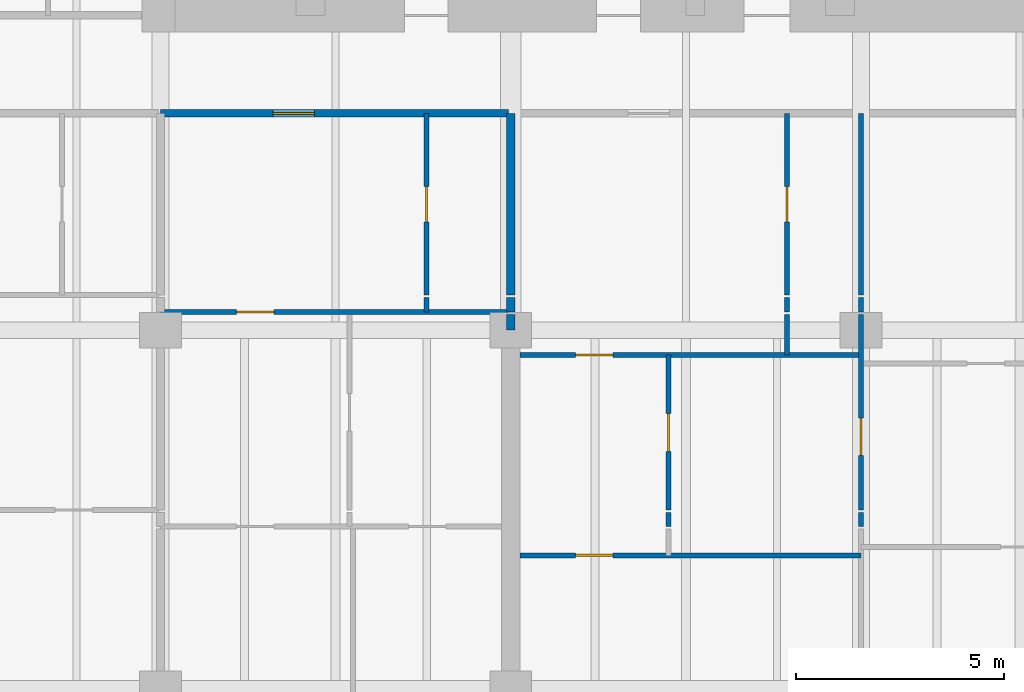
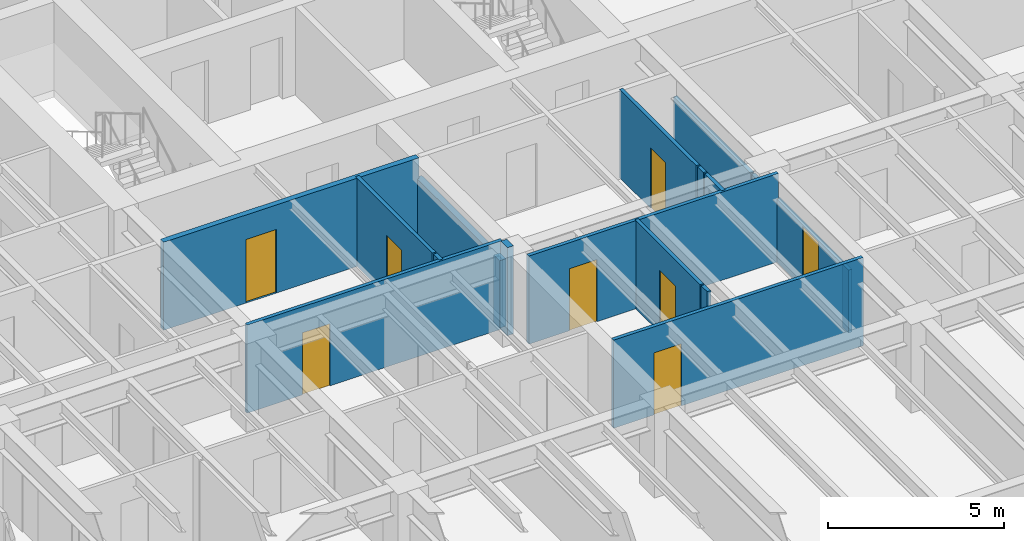
# One storey, part 7 of 17: 18 walls, 8 doors, 8 openings.
"""IFC4 building model written with IfcOpenShell, lengths in metres."""

import ifcopenshell
import ifcopenshell.guid

model = None  # the IFC model being written
_history = None  # IfcOwnerHistory: only IFC2X3 demands one
_inside = {}  # id of a spatial element -> (the spatial element, [elements in it])
_under = {}  # id of a project, library or spatial element -> (it, [spatial elements below it])
_declared = {}  # id of a project -> (the project, [libraries it declares])
_typed = {}  # id of a type object -> (the type object, [elements of that type])
_made_of = {}  # id of a material, layer set ... -> (it, [elements and type objects made of it])


def new_model(schema):
    """Start an empty IFC model of exactly this schema.

    Asked for "IFC4X3", IfcOpenShell would pick the latest addendum, in which some entities
    have other attributes; the version numbers below select the first issue.
    IFC2X3 requires an IfcOwnerHistory on every rooted entity: one is made here for all.
    """
    global model, _history
    if schema == "IFC4X3":
        model = ifcopenshell.file(schema_version=(4, 3, 0, 0))
    else:
        model = ifcopenshell.file(schema=schema)
    _inside.clear()
    _under.clear()
    _declared.clear()
    _typed.clear()
    _made_of.clear()
    _history = None
    if model.schema == "IFC2X3":
        org = make("IfcOrganization", Name="unknown")
        user = make(
            "IfcPersonAndOrganization",
            ThePerson=make("IfcPerson", FamilyName="unknown"),
            TheOrganization=org,
        )
        app = make(
            "IfcApplication",
            ApplicationDeveloper=org,
            Version="unknown",
            ApplicationFullName="unknown",
            ApplicationIdentifier="unknown",
        )
        _history = make(
            "IfcOwnerHistory",
            OwningUser=user,
            OwningApplication=app,
            ChangeAction="ADDED",
            CreationDate=0,
        )
    return model


def make(cls, **values):
    """One entity of the class cls with the attributes given. An attribute that is None is left unset."""
    return model.create_entity(
        cls, **{name: value for name, value in values.items() if value is not None}
    )


def rooted(cls, **values):
    """An entity with a GlobalId (a new one), such as an element, a storey or a relation."""
    return make(cls, GlobalId=ifcopenshell.guid.new(), OwnerHistory=_history, **values)


def si_unit(unit_type, name, prefix=None):
    """IfcSIUnit, for example si_unit("LENGTHUNIT", "METRE", prefix="MILLI")."""
    return make("IfcSIUnit", UnitType=unit_type, Prefix=prefix, Name=name)


def assignment(units):
    """IfcUnitAssignment: the units of a project."""
    return None if units is None else make("IfcUnitAssignment", Units=units)


def point(xyz):
    """IfcCartesianPoint."""
    return None if xyz is None else make("IfcCartesianPoint", Coordinates=xyz)


def direction(xyz):
    """IfcDirection."""
    return None if xyz is None else make("IfcDirection", DirectionRatios=xyz)


def frame(location, z_axis=None, x_axis=None):
    """IfcAxis2Placement3D, a coordinate frame: its origin and axes. An axis left out is left unset."""
    return make(
        "IfcAxis2Placement3D",
        Location=point(location),
        Axis=direction(z_axis),
        RefDirection=direction(x_axis),
    )


def frame_2d(location, x_axis=None):
    """IfcAxis2Placement2D, a coordinate frame in the plane: its origin and x axis."""
    return make(
        "IfcAxis2Placement2D", Location=point(location), RefDirection=direction(x_axis)
    )


def origin():
    """The frame at (0, 0, 0) with its axes left unset."""
    return frame((0.0, 0.0, 0.0))


def place(relative_to, where):
    """IfcLocalPlacement: puts the frame where relative to a parent placement (None: the world)."""
    return make(
        "IfcLocalPlacement", PlacementRelTo=relative_to, RelativePlacement=where
    )


def context(
    kind, dimensions, precision=None, world=None, true_north=None, identifier=None
):
    """IfcGeometricRepresentationContext, for example the 3D "Model" context."""
    return make(
        "IfcGeometricRepresentationContext",
        ContextIdentifier=identifier,
        ContextType=kind,
        CoordinateSpaceDimension=dimensions,
        Precision=precision,
        WorldCoordinateSystem=world,
        TrueNorth=true_north,
    )


def subcontext(parent, identifier, kind, view, scale=None):
    """IfcGeometricRepresentationSubContext, for example "Body" below "Model"."""
    return make(
        "IfcGeometricRepresentationSubContext",
        ContextIdentifier=identifier,
        ContextType=kind,
        ParentContext=parent,
        TargetScale=scale,
        TargetView=view,
    )


def project(units=None, contexts=None):
    """IfcProject with its units and contexts."""
    return rooted(
        "IfcProject",
        Name="project",
        RepresentationContexts=contexts,
        UnitsInContext=assignment(units),
    )


def spatial(cls, under=None, at=None, **own):
    """A site, building, storey or space (cls), placed at a placement, below another one or the project."""
    s = rooted(cls, ObjectPlacement=at, **own)
    if under is not None:
        _under.setdefault(under.id(), (under, []))[1].append(s)
    return s


def profile(cls, at=None, kind="AREA", **sizes):
    """A parametric profile (cls). Its sizes go by their IFC names, for example OverallWidth=200.0."""
    return make(cls, ProfileType=kind, Position=at, **sizes)


def rectangle(**sizes):
    """IfcRectangleProfileDef."""
    return profile("IfcRectangleProfileDef", **sizes)


def extrude(swept, where, along, depth):
    """IfcExtrudedAreaSolid: the profile swept, set in the frame where, extruded along a direction by depth."""
    return make(
        "IfcExtrudedAreaSolid",
        SweptArea=swept,
        Position=where,
        ExtrudedDirection=direction(along),
        Depth=depth,
    )


def shape(context_of_items, identifier, shape_type, items):
    """IfcShapeRepresentation: the items that make up one representation, for example the "Body"."""
    return make(
        "IfcShapeRepresentation",
        ContextOfItems=context_of_items,
        RepresentationIdentifier=identifier,
        RepresentationType=shape_type,
        Items=items,
    )


def material(Name=None, Category=None):
    """IfcMaterial."""
    return make("IfcMaterial", Name=Name, Category=Category)


def layer(
    of_material, thickness, ventilated=None, Name=None, Category=None, Priority=None
):
    """IfcMaterialLayer: one layer of a wall or slab, of a material (None: an air gap)."""
    return make(
        "IfcMaterialLayer",
        Material=of_material,
        LayerThickness=thickness,
        IsVentilated=ventilated,
        Name=Name,
        Category=Category,
        Priority=Priority,
    )


def layer_set(layers, Name=None):
    """IfcMaterialLayerSet."""
    return make("IfcMaterialLayerSet", MaterialLayers=layers, LayerSetName=Name)


def made_of(thing, what):
    """Note that an element or type object is made of a material, layer set ...; save() writes the relation."""
    if what is not None:
        _made_of.setdefault(what.id(), (what, []))[1].append(thing)
    return thing


def type_object(cls, material=None, **own):
    """A type object (cls), such as IfcWallType, which elements share."""
    return made_of(rooted(cls, **own), material)


def element(
    cls,
    number,
    at=None,
    inside=None,
    cuts=None,
    type_object=None,
    material=None,
    context=None,
    identifier="Body",
    shape_type=None,
    held_by="IfcProductDefinitionShape",
    body=None,
    shapes=None,
    **own,
):
    """One element of the class cls, such as IfcWall. Its Tag is "e" and its number.

    at: its placement. inside: the storey or other place that contains it. cuts: it is an
    opening in that element (IfcRelVoidsElement). A single representation is given by context,
    identifier, shape_type and body (its items); several are given by shapes. held_by: the class
    of the entity that holds the representations. save() writes the other relations.
    """
    e = rooted(cls, Tag="e%d" % number, ObjectPlacement=at, **own)
    if body is not None:
        shapes = [shape(context, identifier, shape_type, body)]
    if shapes is not None:
        e.Representation = make(held_by, Representations=shapes)
    if inside is not None:
        _inside.setdefault(inside.id(), (inside, []))[1].append(e)
    if cuts is not None:
        rooted(
            "IfcRelVoidsElement", RelatingBuildingElement=cuts, RelatedOpeningElement=e
        )
    if type_object is not None:
        _typed.setdefault(type_object.id(), (type_object, []))[1].append(e)
    return made_of(e, material)


def fill(opening, filler):
    """IfcRelFillsElement: the door or window that sits in an opening."""
    return rooted(
        "IfcRelFillsElement",
        RelatingOpeningElement=opening,
        RelatedBuildingElement=filler,
    )


def aggregate(whole, parts):
    """IfcRelAggregates: a whole, such as a stair, and the parts it consists of."""
    return rooted("IfcRelAggregates", RelatingObject=whole, RelatedObjects=parts)


def save(model, path):
    """Write the relations noted so far, then the file.

    IfcRelAggregates (storeys below a building ...), IfcRelContainedInSpatialStructure (elements
    in a storey), IfcRelDefinesByType, IfcRelAssociatesMaterial and IfcRelDeclares: one each for
    every whole, place, type object, material and project.
    """
    for whole, parts in _under.values():
        aggregate(whole, parts)
    for where, things in _inside.values():
        rooted(
            "IfcRelContainedInSpatialStructure",
            RelatedElements=things,
            RelatingStructure=where,
        )
    for kind, things in _typed.values():
        rooted("IfcRelDefinesByType", RelatedObjects=things, RelatingType=kind)
    for what, things in _made_of.values():
        rooted("IfcRelAssociatesMaterial", RelatedObjects=things, RelatingMaterial=what)
    for by, libraries in _declared.values():
        rooted("IfcRelDeclares", RelatingContext=by, RelatedDefinitions=libraries)
    model.write(path)


model = new_model("IFC4")

# Units and contexts
model_context = context("Model", 3, precision=1e-05, world=origin(), true_north=direction((0.0, 1.0)))
body_context = subcontext(model_context, "Body", "Model", "MODEL_VIEW")
ifc_project = project(units=[si_unit("LENGTHUNIT", "METRE"), si_unit("AREAUNIT", "SQUARE_METRE"), si_unit("VOLUMEUNIT", "CUBIC_METRE"), si_unit("PLANEANGLEUNIT", "RADIAN"), si_unit("MASSUNIT", "GRAM", prefix="KILO")], contexts=[model_context])

# Site, building, storey
site_placement = place(None, origin())
site = spatial("IfcSite", under=ifc_project, at=site_placement, CompositionType="ELEMENT")
building_placement = place(site_placement, origin())
building = spatial("IfcBuilding", under=site, at=building_placement, Name="Caelmar Bay Residences", CompositionType="ELEMENT")
storey_placement = place(building_placement, frame((0.0, 0.0, 109.199951171875)))
storey = spatial("IfcBuildingStorey", under=building, at=storey_placement, Name="L29", CompositionType="ELEMENT", Elevation=109.199951171875)

# Wall, opening, door
ifc_material_1 = material(Name="Double-stud acoustic fire-rated gypsum partition 180 mm")
ifc_layer_1 = layer(ifc_material_1, 0.179931640625)
ifc_layer_set_1 = layer_set([ifc_layer_1], Name="Double-stud acoustic fire-rated gypsum partition 180 mm")
wall_type_1 = type_object("IfcWallType", Name="W-COR-200", PredefinedType="PARTITIONING", material=ifc_layer_set_1)
wall_1_placement = place(storey_placement, frame((18.300048828125, 34.60009765625, 0.0), z_axis=(0.0, 0.0, 1.0), x_axis=(1.0, 0.0, 0.0)))
wall_1 = element("IfcWall", 1, at=wall_1_placement, inside=storey, type_object=wall_type_1, Name="L29 Partition Wall H141", PredefinedType="PARTITIONING", context=body_context, shape_type="SweptSolid", body=[
    extrude(rectangle(XDim=8.349853515625, YDim=0.179931640625, at=frame_2d((4.1748046875, 0.0))), origin(), (0.0, 0.0, 1.0), 3.050048828125),
])
opening_1_placement = place(wall_1_placement, frame((2.69140625, 0.0, 0.0)))
opening_1 = element("IfcOpeningElement", 2, at=opening_1_placement, cuts=wall_1, Name="Opening D-L29-132", PredefinedType="OPENING", context=body_context, shape_type="SweptSolid", body=[
    extrude(rectangle(XDim=1.0, YDim=2.199951171875, at=frame_2d((0.5, 1.10009765625))), frame((0.0, 0.099853515625, 0.0), z_axis=(0.0, -1.0, 0.0), x_axis=(1.0, 0.0, 0.0)), (0.0, 0.0, 1.0), 0.199951171875),
])
ifc_material_2 = material(Name="Fire-rated steel and walnut architectural door assembly", Category="steel")
ifc_layer_2 = layer(ifc_material_2, 0.050048828125)
ifc_layer_set_2 = layer_set([ifc_layer_2], Name="Fire-rated steel and walnut architectural door assembly")
door_type_1 = type_object("IfcDoorType", Name="D-UNIT-1000", OperationType="NOTDEFINED", PredefinedType="DOOR", material=ifc_layer_set_2)
door_1_placement = place(opening_1_placement, origin())
door_1 = element("IfcDoor", 3, at=door_1_placement, inside=storey, type_object=door_type_1, Name="L29 Residence 02 Apartment Hall Door", OperationType="SINGLE_SWING_RIGHT", OverallHeight=2.199951171875, OverallWidth=1.0, PredefinedType="DOOR", context=body_context, shape_type="SweptSolid", body=[
    extrude(rectangle(XDim=1.0, YDim=2.199951171875, at=frame_2d((0.5, 1.10009765625))), frame((0.0, 0.02490234375, 0.0), z_axis=(0.0, -1.0, 0.0), x_axis=(1.0, 0.0, 0.0)), (0.0, 0.0, 1.0), 0.050048828125),
])
fill(opening_1, door_1)

# Wall
ifc_material_3 = material(Name="Acoustic metal-stud gypsum partition 120 mm")
ifc_layer_3 = layer(ifc_material_3, 0.1201171875)
ifc_layer_set_3 = layer_set([ifc_layer_3], Name="Acoustic metal-stud gypsum partition 120 mm")
wall_type_2 = type_object("IfcWallType", Name="W-PRT-120", PredefinedType="PARTITIONING", material=ifc_layer_set_3)
wall_2_placement = place(storey_placement, frame((24.68310546875, 29.840087890625, 0.0), z_axis=(0.0, 0.0, 1.0), x_axis=(0.0, 1.0, 0.0)))
element("IfcWall", 4, at=wall_2_placement, inside=storey, type_object=wall_type_2, Name="L29 Partition Wall V034", PredefinedType="PARTITIONING", context=body_context, shape_type="SweptSolid", body=[
    extrude(rectangle(XDim=0.33984375, YDim=0.1201171875, at=frame_2d((0.169921875, 0.0))), origin(), (0.0, 0.0, 1.0), 3.050048828125),
])

# Wall, opening, door
wall_3_placement = place(storey_placement, frame((24.68310546875, 30.239990234375, 0.0), z_axis=(0.0, 0.0, 1.0), x_axis=(0.0, 1.0, 0.0)))
wall_3 = element("IfcWall", 5, at=wall_3_placement, inside=storey, type_object=wall_type_2, Name="L29 Partition Wall V035", PredefinedType="PARTITIONING", context=body_context, shape_type="SweptSolid", body=[
    extrude(rectangle(XDim=4.360107421875, YDim=0.1201171875, at=frame_2d((2.18017578125, 0.0))), origin(), (0.0, 0.0, 1.0), 3.050048828125),
])
opening_2_placement = place(wall_3_placement, frame((1.7548828125, 0.0, 0.0)))
opening_2 = element("IfcOpeningElement", 6, at=opening_2_placement, cuts=wall_3, Name="Opening D-L29-133", PredefinedType="OPENING", context=body_context, shape_type="SweptSolid", body=[
    extrude(rectangle(XDim=0.85009765625, YDim=2.10009765625, at=frame_2d((0.425048828125, 1.050048828125))), frame((0.0, 0.070068359375, 0.0), z_axis=(0.0, -1.0, 0.0), x_axis=(1.0, 0.0, 0.0)), (0.0, 0.0, 1.0), 0.14013671875),
])
ifc_material_4 = material(Name="Solid walnut timber interior door leaf and frame", Category="wood")
ifc_layer_4 = layer(ifc_material_4, 0.050048828125)
ifc_layer_set_4 = layer_set([ifc_layer_4], Name="Solid walnut timber interior door leaf and frame")
door_type_2 = type_object("IfcDoorType", Name="D-BATH-850", OperationType="NOTDEFINED", PredefinedType="DOOR", material=ifc_layer_set_4)
door_2_placement = place(opening_2_placement, origin())
door_2 = element("IfcDoor", 7, at=door_2_placement, inside=storey, type_object=door_type_2, Name="L29 Residence 02 Bathroom Door", OperationType="SINGLE_SWING_LEFT", OverallHeight=2.10009765625, OverallWidth=0.85009765625, PredefinedType="DOOR", context=body_context, shape_type="SweptSolid", body=[
    extrude(rectangle(XDim=0.85009765625, YDim=2.10009765625, at=frame_2d((0.425048828125, 1.050048828125))), frame((0.0, 0.02490234375, 0.0), z_axis=(0.0, -1.0, 0.0), x_axis=(1.0, 0.0, 0.0)), (0.0, 0.0, 1.0), 0.050048828125),
])
fill(opening_2, door_2)

# Wall
wall_4_placement = place(storey_placement, frame((30.47998046875, 24.68994140625, 0.0), z_axis=(0.0, 0.0, 1.0), x_axis=(0.0, 1.0, 0.0)))
element("IfcWall", 8, at=wall_4_placement, inside=storey, type_object=wall_type_2, Name="L29 Partition Wall V046", PredefinedType="PARTITIONING", context=body_context, shape_type="SweptSolid", body=[
    extrude(rectangle(XDim=0.340087890625, YDim=0.1201171875, at=frame_2d((0.169921875, 0.0))), origin(), (0.0, 0.0, 1.0), 3.050048828125),
])

# Wall, opening, door
wall_5_placement = place(storey_placement, frame((30.47998046875, 25.090087890625, 0.0), z_axis=(0.0, 0.0, 1.0), x_axis=(0.0, 1.0, 0.0)))
wall_5 = element("IfcWall", 9, at=wall_5_placement, inside=storey, type_object=wall_type_2, Name="L29 Partition Wall V047", PredefinedType="PARTITIONING", context=body_context, shape_type="SweptSolid", body=[
    extrude(rectangle(XDim=3.7099609375, YDim=0.1201171875, at=frame_2d((1.85498046875, 0.0))), origin(), (0.0, 0.0, 1.0), 3.050048828125),
])
opening_3_placement = place(wall_5_placement, frame((1.405029296875, 0.0, 0.0)))
opening_3 = element("IfcOpeningElement", 10, at=opening_3_placement, cuts=wall_5, Name="Opening D-L29-142", PredefinedType="OPENING", context=body_context, shape_type="SweptSolid", body=[
    extrude(rectangle(XDim=0.89990234375, YDim=2.14990234375, at=frame_2d((0.449951171875, 1.074951171875))), frame((0.0, 0.070068359375, 0.0), z_axis=(0.0, -1.0, 0.0), x_axis=(1.0, 0.0, 0.0)), (0.0, 0.0, 1.0), 0.14013671875),
])
ifc_layer_5 = layer(ifc_material_4, 0.050048828125)
ifc_layer_set_5 = layer_set([ifc_layer_5], Name="Solid walnut timber interior door leaf and frame")
door_type_3 = type_object("IfcDoorType", Name="D-ROOM-900", OperationType="NOTDEFINED", PredefinedType="DOOR", material=ifc_layer_set_5)
door_3_placement = place(opening_3_placement, origin())
door_3 = element("IfcDoor", 11, at=door_3_placement, inside=storey, type_object=door_type_3, Name="L29 Residence 03 Kitchen Door", OperationType="SINGLE_SWING_RIGHT", OverallHeight=2.14990234375, OverallWidth=0.89990234375, PredefinedType="DOOR", context=body_context, shape_type="SweptSolid", body=[
    extrude(rectangle(XDim=0.89990234375, YDim=2.14990234375, at=frame_2d((0.449951171875, 1.074951171875))), frame((0.0, 0.02490234375, 0.0), z_axis=(0.0, -1.0, 0.0), x_axis=(1.0, 0.0, 0.0)), (0.0, 0.0, 1.0), 0.050048828125),
])
fill(opening_3, door_3)

# Walls
wall_6_placement = place(storey_placement, frame((33.323974609375, 28.800048828125, 0.0), z_axis=(0.0, 0.0, 1.0), x_axis=(0.0, 1.0, 0.0)))
element("IfcWall", 12, at=wall_6_placement, inside=storey, type_object=wall_type_2, Name="L29 Partition Wall V049", PredefinedType="PARTITIONING", context=body_context, shape_type="SweptSolid", body=[
    extrude(rectangle(XDim=0.97998046875, YDim=0.1201171875, at=frame_2d((0.489990234375, 0.0))), origin(), (0.0, 0.0, 1.0), 3.050048828125),
])
wall_7_placement = place(storey_placement, frame((33.323974609375, 29.840087890625, 0.0), z_axis=(0.0, 0.0, 1.0), x_axis=(0.0, 1.0, 0.0)))
element("IfcWall", 13, at=wall_7_placement, inside=storey, type_object=wall_type_2, Name="L29 Partition Wall V050", PredefinedType="PARTITIONING", context=body_context, shape_type="SweptSolid", body=[
    extrude(rectangle(XDim=0.33984375, YDim=0.1201171875, at=frame_2d((0.169921875, 0.0))), origin(), (0.0, 0.0, 1.0), 3.050048828125),
])

# Wall, opening, door
wall_8_placement = place(storey_placement, frame((33.323974609375, 30.239990234375, 0.0), z_axis=(0.0, 0.0, 1.0), x_axis=(0.0, 1.0, 0.0)))
wall_8 = element("IfcWall", 14, at=wall_8_placement, inside=storey, type_object=wall_type_2, Name="L29 Partition Wall V051", PredefinedType="PARTITIONING", context=body_context, shape_type="SweptSolid", body=[
    extrude(rectangle(XDim=4.360107421875, YDim=0.1201171875, at=frame_2d((2.18017578125, 0.0))), origin(), (0.0, 0.0, 1.0), 3.050048828125),
])
opening_4_placement = place(wall_8_placement, frame((1.7548828125, 0.0, 0.0)))
opening_4 = element("IfcOpeningElement", 15, at=opening_4_placement, cuts=wall_8, Name="Opening D-L29-140", PredefinedType="OPENING", context=body_context, shape_type="SweptSolid", body=[
    extrude(rectangle(XDim=0.85009765625, YDim=2.10009765625, at=frame_2d((0.425048828125, 1.050048828125))), frame((0.0, 0.070068359375, 0.0), z_axis=(0.0, -1.0, 0.0), x_axis=(1.0, 0.0, 0.0)), (0.0, 0.0, 1.0), 0.14013671875),
])
door_4_placement = place(opening_4_placement, origin())
door_4 = element("IfcDoor", 16, at=door_4_placement, inside=storey, type_object=door_type_2, Name="L29 Residence 03 Guest Bathroom Door", OperationType="SINGLE_SWING_RIGHT", OverallHeight=2.10009765625, OverallWidth=0.85009765625, PredefinedType="DOOR", context=body_context, shape_type="SweptSolid", body=[
    extrude(rectangle(XDim=0.85009765625, YDim=2.10009765625, at=frame_2d((0.425048828125, 1.050048828125))), frame((0.0, 0.02490234375, 0.0), z_axis=(0.0, -1.0, 0.0), x_axis=(1.0, 0.0, 0.0)), (0.0, 0.0, 1.0), 0.050048828125),
])
fill(opening_4, door_4)

# Wall
wall_9_placement = place(storey_placement, frame((35.10009765625, 24.68994140625, 0.0), z_axis=(0.0, 0.0, 1.0), x_axis=(0.0, 1.0, 0.0)))
element("IfcWall", 17, at=wall_9_placement, inside=storey, type_object=wall_type_2, Name="L29 Partition Wall V054", PredefinedType="PARTITIONING", context=body_context, shape_type="SweptSolid", body=[
    extrude(rectangle(XDim=0.340087890625, YDim=0.1201171875, at=frame_2d((0.169921875, 0.0))), origin(), (0.0, 0.0, 1.0), 2.174072265625),
])

# Wall, opening, door
wall_10_placement = place(storey_placement, frame((35.10009765625, 25.090087890625, 0.0), z_axis=(0.0, 0.0, 1.0), x_axis=(0.0, 1.0, 0.0)))
wall_10 = element("IfcWall", 18, at=wall_10_placement, inside=storey, type_object=wall_type_2, Name="L29 Partition Wall V055", PredefinedType="PARTITIONING", context=body_context, shape_type="SweptSolid", body=[
    extrude(rectangle(XDim=4.68994140625, YDim=0.1201171875, at=frame_2d((2.344970703125, 0.0))), origin(), (0.0, 0.0, 1.0), 2.174072265625),
])
opening_5_placement = place(wall_10_placement, frame((1.304931640625, 0.0, 0.0)))
opening_5 = element("IfcOpeningElement", 19, at=opening_5_placement, cuts=wall_10, Name="Opening D-L29-144", PredefinedType="OPENING", context=body_context, shape_type="SweptSolid", body=[
    extrude(rectangle(XDim=0.89990234375, YDim=2.1240234375, at=frame_2d((0.449951171875, 1.06201171875))), frame((0.0, 0.070068359375, 0.0), z_axis=(0.0, -1.0, 0.0), x_axis=(1.0, 0.0, 0.0)), (0.0, 0.0, 1.0), 0.14013671875),
])
door_5_placement = place(opening_5_placement, origin())
door_5 = element("IfcDoor", 20, at=door_5_placement, inside=storey, type_object=door_type_3, Name="L29 Residence 03 Formal Dining Room 1 Door", OperationType="SINGLE_SWING_RIGHT", OverallHeight=2.1240234375, OverallWidth=0.89990234375, PredefinedType="DOOR", context=body_context, shape_type="SweptSolid", body=[
    extrude(rectangle(XDim=0.89990234375, YDim=2.1240234375, at=frame_2d((0.449951171875, 1.06201171875))), frame((0.0, 0.02490234375, 0.0), z_axis=(0.0, -1.0, 0.0), x_axis=(1.0, 0.0, 0.0)), (0.0, 0.0, 1.0), 0.050048828125),
])
fill(opening_5, door_5)

# Walls
wall_11_placement = place(storey_placement, frame((35.10009765625, 29.840087890625, 0.0), z_axis=(0.0, 0.0, 1.0), x_axis=(0.0, 1.0, 0.0)))
element("IfcWall", 21, at=wall_11_placement, inside=storey, type_object=wall_type_2, Name="L29 Partition Wall V056", PredefinedType="PARTITIONING", context=body_context, shape_type="SweptSolid", body=[
    extrude(rectangle(XDim=0.33984375, YDim=0.1201171875, at=frame_2d((0.169921875, 0.0))), origin(), (0.0, 0.0, 1.0), 2.174072265625),
])
wall_12_placement = place(storey_placement, frame((35.10009765625, 30.239990234375, 0.0), z_axis=(0.0, 0.0, 1.0), x_axis=(0.0, 1.0, 0.0)))
element("IfcWall", 22, at=wall_12_placement, inside=storey, type_object=wall_type_2, Name="L29 Partition Wall V057", PredefinedType="PARTITIONING", context=body_context, shape_type="SweptSolid", body=[
    extrude(rectangle(XDim=4.360107421875, YDim=0.1201171875, at=frame_2d((2.18017578125, 0.0))), origin(), (0.0, 0.0, 1.0), 2.174072265625),
])

# Wall, opening, door
wall_13_placement = place(storey_placement, frame((26.919921875, 24.0, 0.0), z_axis=(0.0, 0.0, 1.0), x_axis=(1.0, 0.0, 0.0)))
wall_13 = element("IfcWall", 23, at=wall_13_placement, inside=storey, type_object=wall_type_2, Name="L29 Partition Wall H125", PredefinedType="PARTITIONING", context=body_context, shape_type="SweptSolid", body=[
    extrude(rectangle(XDim=8.18017578125, YDim=0.1201171875, at=frame_2d((4.090087890625, 0.0))), origin(), (0.0, 0.0, 1.0), 3.050048828125),
])
opening_6_placement = place(wall_13_placement, frame((1.330078125, 0.0, 0.0)))
opening_6 = element("IfcOpeningElement", 24, at=opening_6_placement, cuts=wall_13, Name="Opening D-L29-143", PredefinedType="OPENING", context=body_context, shape_type="SweptSolid", body=[
    extrude(rectangle(XDim=0.89990234375, YDim=2.14990234375, at=frame_2d((0.449951171875, 1.074951171875))), frame((0.0, 0.070068359375, 0.0), z_axis=(0.0, -1.0, 0.0), x_axis=(1.0, 0.0, 0.0)), (0.0, 0.0, 1.0), 0.14013671875),
])
door_6_placement = place(opening_6_placement, origin())
door_6 = element("IfcDoor", 25, at=door_6_placement, inside=storey, type_object=door_type_3, Name="L29 Residence 03 Penthouse Living Salon Door", OperationType="SINGLE_SWING_LEFT", OverallHeight=2.14990234375, OverallWidth=0.89990234375, PredefinedType="DOOR", context=body_context, shape_type="SweptSolid", body=[
    extrude(rectangle(XDim=0.89990234375, YDim=2.14990234375, at=frame_2d((0.449951171875, 1.074951171875))), frame((0.0, 0.02490234375, 0.0), z_axis=(0.0, -1.0, 0.0), x_axis=(1.0, 0.0, 0.0)), (0.0, 0.0, 1.0), 0.050048828125),
])
fill(opening_6, door_6)

wall_14_placement = place(storey_placement, frame((26.919921875, 28.800048828125, 0.0), z_axis=(0.0, 0.0, 1.0), x_axis=(1.0, 0.0, 0.0)))
wall_14 = element("IfcWall", 26, at=wall_14_placement, inside=storey, type_object=wall_type_2, Name="L29 Partition Wall H133", PredefinedType="PARTITIONING", context=body_context, shape_type="SweptSolid", body=[
    extrude(rectangle(XDim=8.175048828125, YDim=0.1201171875, at=frame_2d((4.08740234375, 0.0))), origin(), (0.0, 0.0, 1.0), 3.050048828125),
])
opening_7_placement = place(wall_14_placement, frame((1.330078125, 0.0, 0.0)))
opening_7 = element("IfcOpeningElement", 27, at=opening_7_placement, cuts=wall_14, Name="Opening D-L29-141", PredefinedType="OPENING", context=body_context, shape_type="SweptSolid", body=[
    extrude(rectangle(XDim=0.89990234375, YDim=2.14990234375, at=frame_2d((0.449951171875, 1.074951171875))), frame((0.0, 0.070068359375, 0.0), z_axis=(0.0, -1.0, 0.0), x_axis=(1.0, 0.0, 0.0)), (0.0, 0.0, 1.0), 0.14013671875),
])
door_7_placement = place(opening_7_placement, origin())
door_7 = element("IfcDoor", 28, at=door_7_placement, inside=storey, type_object=door_type_3, Name="L29 Residence 03 Dining Room Door", OperationType="SINGLE_SWING_LEFT", OverallHeight=2.14990234375, OverallWidth=0.89990234375, PredefinedType="DOOR", context=body_context, shape_type="SweptSolid", body=[
    extrude(rectangle(XDim=0.89990234375, YDim=2.14990234375, at=frame_2d((0.449951171875, 1.074951171875))), frame((0.0, 0.02490234375, 0.0), z_axis=(0.0, -1.0, 0.0), x_axis=(1.0, 0.0, 0.0)), (0.0, 0.0, 1.0), 0.050048828125),
])
fill(opening_7, door_7)

wall_15_placement = place(storey_placement, frame((18.300048828125, 29.840087890625, 0.0), z_axis=(0.0, 0.0, 1.0), x_axis=(1.0, 0.0, 0.0)))
wall_15 = element("IfcWall", 29, at=wall_15_placement, inside=storey, type_object=wall_type_2, Name="L29 Partition Wall H136", PredefinedType="PARTITIONING", context=body_context, shape_type="SweptSolid", body=[
    extrude(rectangle(XDim=8.349853515625, YDim=0.1201171875, at=frame_2d((4.1748046875, 0.0))), origin(), (0.0, 0.0, 1.0), 3.050048828125),
])
opening_8_placement = place(wall_15_placement, frame((1.818115234375, 0.0, 0.0)))
opening_8 = element("IfcOpeningElement", 30, at=opening_8_placement, cuts=wall_15, Name="Opening D-L29-134", PredefinedType="OPENING", context=body_context, shape_type="SweptSolid", body=[
    extrude(rectangle(XDim=0.89990234375, YDim=2.14990234375, at=frame_2d((0.449951171875, 1.074951171875))), frame((0.0, 0.070068359375, 0.0), z_axis=(0.0, -1.0, 0.0), x_axis=(1.0, 0.0, 0.0)), (0.0, 0.0, 1.0), 0.14013671875),
])
door_8_placement = place(opening_8_placement, origin())
door_8 = element("IfcDoor", 31, at=door_8_placement, inside=storey, type_object=door_type_3, Name="L29 Residence 02 Kitchen Door", OperationType="SINGLE_SWING_RIGHT", OverallHeight=2.14990234375, OverallWidth=0.89990234375, PredefinedType="DOOR", context=body_context, shape_type="SweptSolid", body=[
    extrude(rectangle(XDim=0.89990234375, YDim=2.14990234375, at=frame_2d((0.449951171875, 1.074951171875))), frame((0.0, 0.02490234375, 0.0), z_axis=(0.0, -1.0, 0.0), x_axis=(1.0, 0.0, 0.0)), (0.0, 0.0, 1.0), 0.050048828125),
])
fill(opening_8, door_8)

# Walls
ifc_material_5 = material(Name="Acoustic twin-stud fire-rated inter-tenancy partition 200 mm")
ifc_layer_6 = layer(ifc_material_5, 0.199951171875)
ifc_layer_set_6 = layer_set([ifc_layer_6], Name="Acoustic twin-stud fire-rated inter-tenancy partition 200 mm")
wall_type_3 = type_object("IfcWallType", Name="W-PTY-200", PredefinedType="PARTITIONING", material=ifc_layer_set_6)
wall_16_placement = place(storey_placement, frame((26.699951171875, 29.405029296875, 0.0), z_axis=(0.0, 0.0, 1.0), x_axis=(0.0, 1.0, 0.0)))
element("IfcWall", 32, at=wall_16_placement, inside=storey, type_object=wall_type_3, Name="L29 Partition Wall V040", PredefinedType="PARTITIONING", context=body_context, shape_type="SweptSolid", body=[
    extrude(rectangle(XDim=0.375, YDim=0.199951171875, at=frame_2d((0.1875, 0.0))), origin(), (0.0, 0.0, 1.0), 3.050048828125),
])
wall_17_placement = place(storey_placement, frame((26.699951171875, 29.840087890625, 0.0), z_axis=(0.0, 0.0, 1.0), x_axis=(0.0, 1.0, 0.0)))
element("IfcWall", 33, at=wall_17_placement, inside=storey, type_object=wall_type_3, Name="L29 Partition Wall V041", PredefinedType="PARTITIONING", context=body_context, shape_type="SweptSolid", body=[
    extrude(rectangle(XDim=0.33984375, YDim=0.199951171875, at=frame_2d((0.169921875, 0.0))), origin(), (0.0, 0.0, 1.0), 2.3349609375),
])
wall_18_placement = place(storey_placement, frame((26.699951171875, 30.239990234375, 0.0), z_axis=(0.0, 0.0, 1.0), x_axis=(0.0, 1.0, 0.0)))
element("IfcWall", 34, at=wall_18_placement, inside=storey, type_object=wall_type_3, Name="L29 Partition Wall V042", PredefinedType="PARTITIONING", context=body_context, shape_type="SweptSolid", body=[
    extrude(rectangle(XDim=4.360107421875, YDim=0.199951171875, at=frame_2d((2.18017578125, 0.0))), origin(), (0.0, 0.0, 1.0), 2.3349609375),
])

save(model, "model.ifc")
